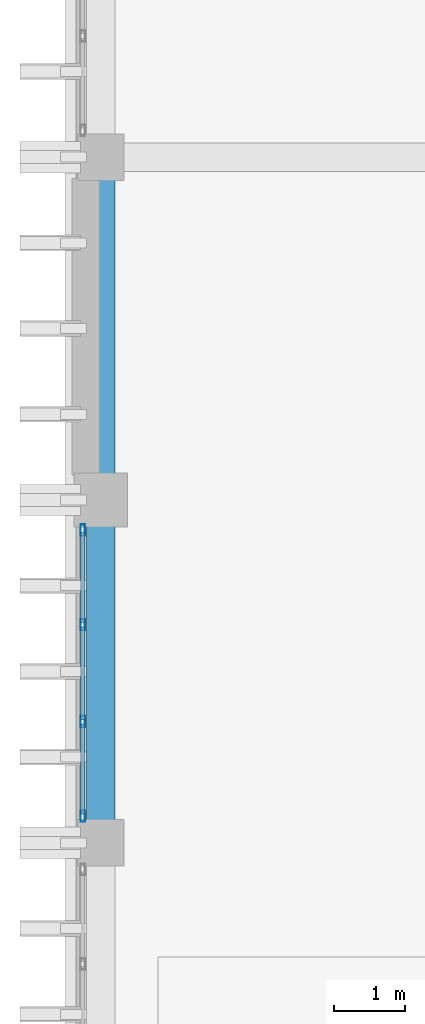
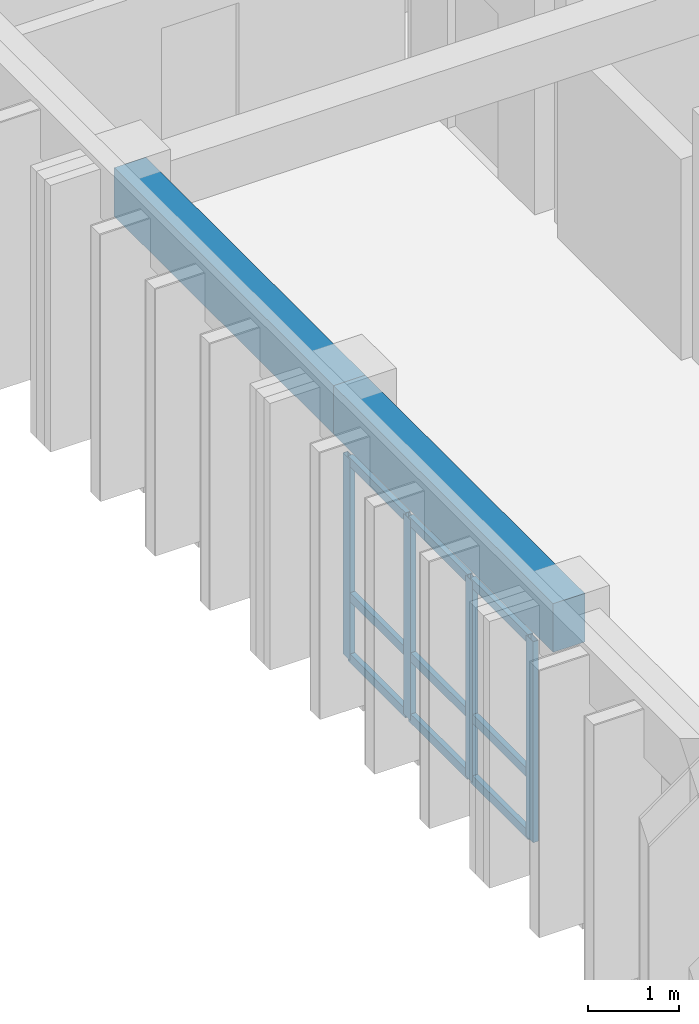
# One storey, part 25 of 64: 13 members, 2 beams, 1 element without a shape of its own.
"""IFC4 building model written with IfcOpenShell, lengths in metres."""

from ifc_helpers import new_model, si_unit, direction, frame, origin, origin_2d, place, context, subcontext, project, spatial, rectangle, hollow_rectangle, extrude, material, layer, layer_set, material_profile, profile_set, type_object, element, aggregate, save


model = new_model("IFC4")

# Units and contexts
model_context = context("Model", 3, precision=1e-05, world=origin(), true_north=direction((0.0, 1.0)))
body_context = subcontext(model_context, "Body", "Model", "MODEL_VIEW")
ifc_project = project(units=[si_unit("LENGTHUNIT", "METRE"), si_unit("AREAUNIT", "SQUARE_METRE"), si_unit("VOLUMEUNIT", "CUBIC_METRE"), si_unit("PLANEANGLEUNIT", "RADIAN"), si_unit("MASSUNIT", "GRAM", prefix="KILO")], contexts=[model_context])

# Site, building, storey
site_placement = place(None, origin())
site = spatial("IfcSite", under=ifc_project, at=site_placement, CompositionType="ELEMENT")
building_placement = place(site_placement, origin())
building = spatial("IfcBuilding", under=site, at=building_placement, Name="Nakhvara Creek Congress Hotel", CompositionType="ELEMENT")
storey_placement = place(building_placement, frame((0.0, 0.0, 28.199951171875)))
storey = spatial("IfcBuildingStorey", under=building, at=storey_placement, Name="L06", CompositionType="ELEMENT", Elevation=28.199951171875)

# Beams
ifc_material_1 = material(Name="Concrete C40/50", Category="concrete")
ifc_material_profile_1 = material_profile(ifc_material_1, rectangle(XDim=0.39990234375, YDim=0.64990234375, at=origin_2d()), Name="RC-BM 400x650", Category="LoadBearing")
ifc_profile_set_1 = profile_set([ifc_material_profile_1], Name="Concrete C40/50")
beam_type = type_object("IfcBeamType", Name="BM-RC-400X650", PredefinedType="BEAM", material=ifc_profile_set_1)
beam_1_placement = place(storey_placement, frame((149.449951171875, 81.60009765625, 3.01513671875), z_axis=(0.0, 1.0, 0.0), x_axis=(-1.0, 0.0, 0.0)))
element("IfcBeam", 1, at=beam_1_placement, inside=storey, type_object=beam_type, Name="Beam B06-L06-2207", PredefinedType="BEAM", context=body_context, shape_type="SweptSolid", body=[
    extrude(rectangle(XDim=0.39990234375, YDim=0.64990234375, at=origin_2d()), origin(), (0.0, 0.0, 1.0), 4.7998046875),
])
beam_2_placement = place(storey_placement, frame((149.449951171875, 86.39990234375, 3.01513671875), z_axis=(0.0, 1.0, 0.0), x_axis=(-1.0, 0.0, 0.0)))
element("IfcBeam", 2, at=beam_2_placement, inside=storey, type_object=beam_type, Name="Beam B06-L06-2208", PredefinedType="BEAM", context=body_context, shape_type="SweptSolid", body=[
    extrude(rectangle(XDim=0.39990234375, YDim=0.64990234375, at=origin_2d()), origin(), (0.0, 0.0, 1.0), 4.800048828125),
])

# Curtain wall, members
ifc_material_2 = material(Name="Bronze-anodised aluminium AW-6063-T6 and double-silver low-E glass", Category="aluminium")
ifc_layer = layer(ifc_material_2, 0.199951171875)
ifc_layer_set = layer_set([ifc_layer], Name="Bronze-anodised aluminium AW-6063-T6 and double-silver low-E glass")
curtain_wall_type = type_object("IfcCurtainWallType", Name="CW-HTL-UNIT", PredefinedType="USERDEFINED", material=ifc_layer_set)
curtain_wall_placement = place(storey_placement, origin())
curtain_wall = element("IfcCurtainWall", 3, at=curtain_wall_placement, inside=storey, type_object=curtain_wall_type, Name="Curtain Wall CW242", ObjectType="UNITISED", PredefinedType="USERDEFINED")
ifc_material_3 = material(Name="Bronze-anodised aluminium AW-6063-T6", Category="aluminium")
ifc_material_profile_2 = material_profile(ifc_material_3, hollow_rectangle(XDim=0.06494140625, YDim=0.159912109375, WallThickness=0.00390625, at=origin_2d()), Name="ALU-MULL 65x160x4", Category="LoadBearing")
ifc_profile_set_2 = profile_set([ifc_material_profile_2], Name="Bronze-anodised aluminium AW-6063-T6")
member_type_1 = type_object("IfcMemberType", Name="CW-MULL-160", PredefinedType="MULLION", material=ifc_profile_set_2)
member_1_placement = place(storey_placement, frame((149.199951171875, 81.972412109375, 0.0), z_axis=(0.0, 0.0, 1.0), x_axis=(-1.0, 0.0, 0.0)))
member_1 = element("IfcMember", 4, at=member_1_placement, type_object=member_type_1, Name="CW242 mullion 1", PredefinedType="MULLION", context=body_context, shape_type="SweptSolid", body=[
    extrude(hollow_rectangle(XDim=0.06494140625, YDim=0.159912109375, WallThickness=0.00390625, at=origin_2d()), origin(), (0.0, 0.0, 1.0), 2.68212890625),
])
member_2_placement = place(storey_placement, frame((149.199951171875, 83.296630859375, 0.0), z_axis=(0.0, 0.0, 1.0), x_axis=(-1.0, 0.0, 0.0)))
member_2 = element("IfcMember", 5, at=member_2_placement, type_object=member_type_1, Name="CW242 mullion 2", PredefinedType="MULLION", context=body_context, shape_type="SweptSolid", body=[
    extrude(hollow_rectangle(XDim=0.06494140625, YDim=0.159912109375, WallThickness=0.00390625, at=origin_2d()), origin(), (0.0, 0.0, 1.0), 2.68212890625),
])
member_3_placement = place(storey_placement, frame((149.199951171875, 84.6533203125, 0.0), z_axis=(0.0, 0.0, 1.0), x_axis=(-1.0, 0.0, 0.0)))
member_3 = element("IfcMember", 6, at=member_3_placement, type_object=member_type_1, Name="CW242 mullion 3", PredefinedType="MULLION", context=body_context, shape_type="SweptSolid", body=[
    extrude(hollow_rectangle(XDim=0.06494140625, YDim=0.159912109375, WallThickness=0.00390625, at=origin_2d()), origin(), (0.0, 0.0, 1.0), 2.68212890625),
])
member_4_placement = place(storey_placement, frame((149.199951171875, 85.9775390625, 0.0), z_axis=(0.0, 0.0, 1.0), x_axis=(-1.0, 0.0, 0.0)))
member_4 = element("IfcMember", 7, at=member_4_placement, type_object=member_type_1, Name="CW242 mullion 4", PredefinedType="MULLION", context=body_context, shape_type="SweptSolid", body=[
    extrude(hollow_rectangle(XDim=0.06494140625, YDim=0.159912109375, WallThickness=0.00390625, at=origin_2d()), origin(), (0.0, 0.0, 1.0), 2.68212890625),
])
ifc_material_profile_3 = material_profile(ifc_material_3, hollow_rectangle(XDim=0.06494140625, YDim=0.1201171875, WallThickness=0.00390625, at=origin_2d()), Name="ALU-TRAN 65x120x4", Category="LoadBearing")
ifc_profile_set_3 = profile_set([ifc_material_profile_3], Name="Bronze-anodised aluminium AW-6063-T6")
member_type_2 = type_object("IfcMemberType", Name="CW-TRAN-120", PredefinedType="USERDEFINED", material=ifc_profile_set_3)
member_5_placement = place(storey_placement, frame((149.199951171875, 82.0048828125, 0.032470703125), z_axis=(0.0, 1.0, 0.0), x_axis=(-1.0, 0.0, 0.0)))
member_5 = element("IfcMember", 8, at=member_5_placement, type_object=member_type_2, Name="CW242 transom 1.1", ObjectType="TRANSOM", PredefinedType="USERDEFINED", context=body_context, shape_type="SweptSolid", body=[
    extrude(hollow_rectangle(XDim=0.06494140625, YDim=0.1201171875, WallThickness=0.00390625, at=origin_2d()), origin(), (0.0, 0.0, 1.0), 1.25927734375),
])
member_6_placement = place(storey_placement, frame((149.199951171875, 82.0048828125, 0.85009765625), z_axis=(0.0, 1.0, 0.0), x_axis=(-1.0, 0.0, 0.0)))
member_6 = element("IfcMember", 9, at=member_6_placement, type_object=member_type_2, Name="CW242 transom 1.2", ObjectType="TRANSOM", PredefinedType="USERDEFINED", context=body_context, shape_type="SweptSolid", body=[
    extrude(hollow_rectangle(XDim=0.06494140625, YDim=0.1201171875, WallThickness=0.00390625, at=origin_2d()), origin(), (0.0, 0.0, 1.0), 1.25927734375),
])
member_7_placement = place(storey_placement, frame((149.199951171875, 82.0048828125, 2.649658203125), z_axis=(0.0, 1.0, 0.0), x_axis=(-1.0, 0.0, 0.0)))
member_7 = element("IfcMember", 10, at=member_7_placement, type_object=member_type_2, Name="CW242 transom 1.3", ObjectType="TRANSOM", PredefinedType="USERDEFINED", context=body_context, shape_type="SweptSolid", body=[
    extrude(hollow_rectangle(XDim=0.06494140625, YDim=0.1201171875, WallThickness=0.00390625, at=origin_2d()), origin(), (0.0, 0.0, 1.0), 1.25927734375),
])
member_8_placement = place(storey_placement, frame((149.199951171875, 83.3291015625, 0.032470703125), z_axis=(0.0, 1.0, 0.0), x_axis=(-1.0, 0.0, 0.0)))
member_8 = element("IfcMember", 11, at=member_8_placement, type_object=member_type_2, Name="CW242 transom 2.1", ObjectType="TRANSOM", PredefinedType="USERDEFINED", context=body_context, shape_type="SweptSolid", body=[
    extrude(hollow_rectangle(XDim=0.06494140625, YDim=0.1201171875, WallThickness=0.00390625, at=origin_2d()), origin(), (0.0, 0.0, 1.0), 1.291748046875),
])
member_9_placement = place(storey_placement, frame((149.199951171875, 83.3291015625, 0.85009765625), z_axis=(0.0, 1.0, 0.0), x_axis=(-1.0, 0.0, 0.0)))
member_9 = element("IfcMember", 12, at=member_9_placement, type_object=member_type_2, Name="CW242 transom 2.2", ObjectType="TRANSOM", PredefinedType="USERDEFINED", context=body_context, shape_type="SweptSolid", body=[
    extrude(hollow_rectangle(XDim=0.06494140625, YDim=0.1201171875, WallThickness=0.00390625, at=origin_2d()), origin(), (0.0, 0.0, 1.0), 1.291748046875),
])
member_10_placement = place(storey_placement, frame((149.199951171875, 83.3291015625, 2.649658203125), z_axis=(0.0, 1.0, 0.0), x_axis=(-1.0, 0.0, 0.0)))
member_10 = element("IfcMember", 13, at=member_10_placement, type_object=member_type_2, Name="CW242 transom 2.3", ObjectType="TRANSOM", PredefinedType="USERDEFINED", context=body_context, shape_type="SweptSolid", body=[
    extrude(hollow_rectangle(XDim=0.06494140625, YDim=0.1201171875, WallThickness=0.00390625, at=origin_2d()), origin(), (0.0, 0.0, 1.0), 1.291748046875),
])
member_11_placement = place(storey_placement, frame((149.199951171875, 84.685791015625, 0.032470703125), z_axis=(0.0, 1.0, 0.0), x_axis=(-1.0, 0.0, 0.0)))
member_11 = element("IfcMember", 14, at=member_11_placement, type_object=member_type_2, Name="CW242 transom 3.1", ObjectType="TRANSOM", PredefinedType="USERDEFINED", context=body_context, shape_type="SweptSolid", body=[
    extrude(hollow_rectangle(XDim=0.06494140625, YDim=0.1201171875, WallThickness=0.00390625, at=origin_2d()), origin(), (0.0, 0.0, 1.0), 1.25927734375),
])
member_12_placement = place(storey_placement, frame((149.199951171875, 84.685791015625, 0.85009765625), z_axis=(0.0, 1.0, 0.0), x_axis=(-1.0, 0.0, 0.0)))
member_12 = element("IfcMember", 15, at=member_12_placement, type_object=member_type_2, Name="CW242 transom 3.2", ObjectType="TRANSOM", PredefinedType="USERDEFINED", context=body_context, shape_type="SweptSolid", body=[
    extrude(hollow_rectangle(XDim=0.06494140625, YDim=0.1201171875, WallThickness=0.00390625, at=origin_2d()), origin(), (0.0, 0.0, 1.0), 1.25927734375),
])
member_13_placement = place(storey_placement, frame((149.199951171875, 84.685791015625, 2.649658203125), z_axis=(0.0, 1.0, 0.0), x_axis=(-1.0, 0.0, 0.0)))
member_13 = element("IfcMember", 16, at=member_13_placement, type_object=member_type_2, Name="CW242 transom 3.3", ObjectType="TRANSOM", PredefinedType="USERDEFINED", context=body_context, shape_type="SweptSolid", body=[
    extrude(hollow_rectangle(XDim=0.06494140625, YDim=0.1201171875, WallThickness=0.00390625, at=origin_2d()), origin(), (0.0, 0.0, 1.0), 1.25927734375),
])
aggregate(curtain_wall, [member_1, member_2, member_3, member_4, member_5, member_6, member_7, member_8, member_9, member_10, member_11, member_12, member_13])

save(model, "model.ifc")
